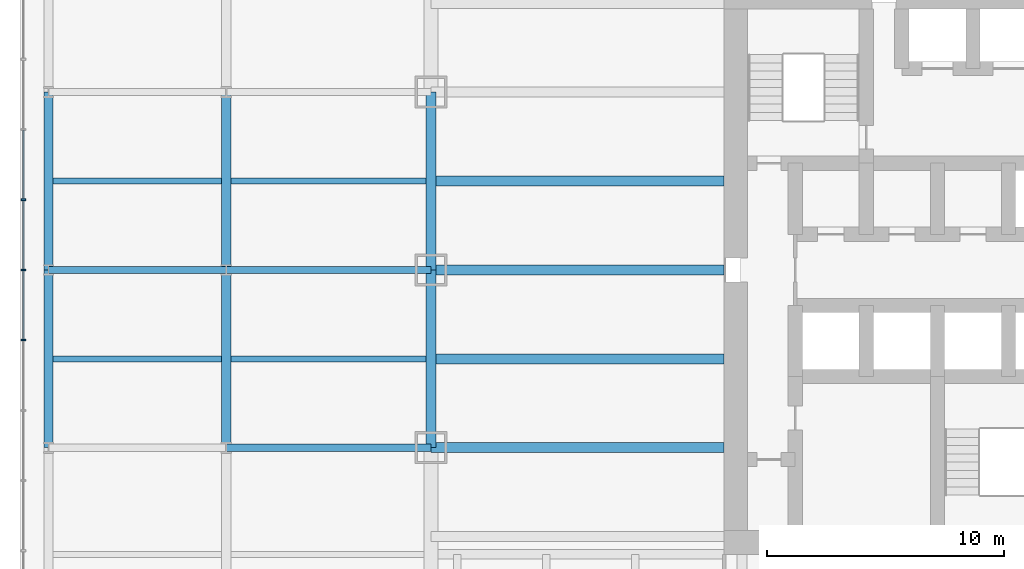
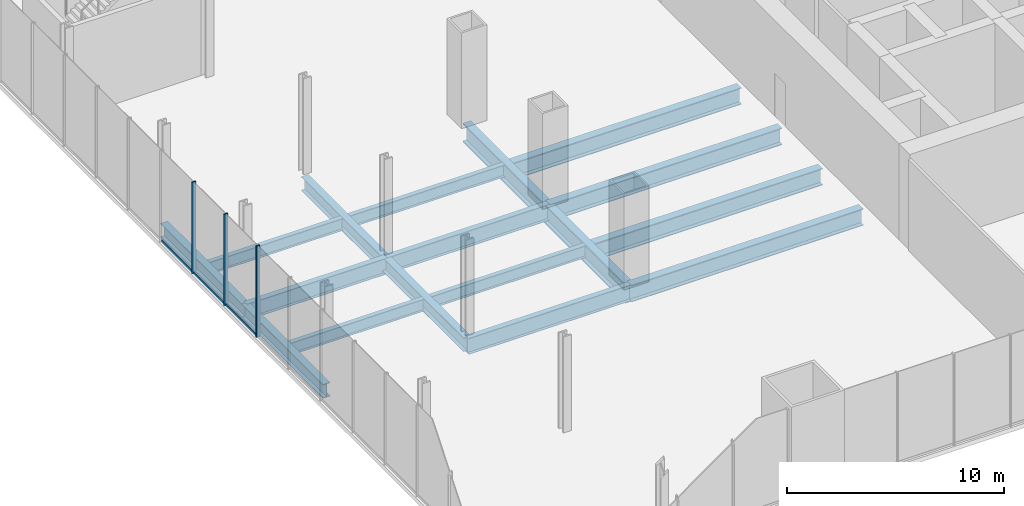
# One storey, part 3 of 16: 17 beams, 6 members, 1 element without a shape of its own.
"""IFC4 building model written with IfcOpenShell, lengths in metres."""

from ifc_helpers import new_model, si_unit, direction, frame, origin, origin_2d, place, context, subcontext, project, spatial, rectangle, i_section, extrude, material, material_profile, profile_set, type_object, element, aggregate, save


model = new_model("IFC4")

# Units and contexts
model_context = context("Model", 3, precision=1e-05, world=origin(), true_north=direction((0.0, 1.0)))
body_context = subcontext(model_context, "Body", "Model", "MODEL_VIEW")
ifc_project = project(units=[si_unit("LENGTHUNIT", "METRE"), si_unit("AREAUNIT", "SQUARE_METRE"), si_unit("VOLUMEUNIT", "CUBIC_METRE"), si_unit("PLANEANGLEUNIT", "RADIAN"), si_unit("MASSUNIT", "GRAM", prefix="KILO")], contexts=[model_context])

# Site, building, storey
site_placement = place(None, origin())
site = spatial("IfcSite", under=ifc_project, at=site_placement, CompositionType="ELEMENT")
building_placement = place(site_placement, origin())
building = spatial("IfcBuilding", under=site, at=building_placement, Name="Tarangal Relay Tower", CompositionType="ELEMENT")
storey_placement = place(building_placement, frame((0.0, 0.0, 7.199951171875)))
storey = spatial("IfcBuildingStorey", under=building, at=storey_placement, Name="L01", CompositionType="ELEMENT", Elevation=7.199951171875)

# Beams
ifc_material_1 = material(Name="Steel ASTM A992", Category="steel")
ifc_material_profile_1 = material_profile(ifc_material_1, i_section(OverallWidth=0.41650390625, OverallDepth=1.0693359375, WebThickness=0.0390625, FlangeThickness=0.070068359375, at=origin_2d()), Name="W40X503")
ifc_profile_set_1 = profile_set([ifc_material_profile_1], Name="Steel ASTM A992")
beam_type_1 = type_object("IfcBeamType", Name="Edge girder W40X503", PredefinedType="SPANDREL", material=ifc_profile_set_1)
for number, where, z_axis, x_axis, name in (
    (1, (-24.364990234375, -7.5, -0.78466796875), (0.0, 1.0, 0.0), (-1.0, 0.0, 0.0), "Edge girder EG8 W L01"),
    (2, (-24.364990234375, 0.0, -0.78466796875), (0.0, 1.0, 0.0), (-1.0, 0.0, 0.0), "Edge girder EG8 W L01"),
):
    element("IfcBeam", number, at=place(storey_placement, frame(where, z_axis=z_axis, x_axis=x_axis)), inside=storey, type_object=beam_type_1, Name=name, PredefinedType="SPANDREL", context=body_context, shape_type="SweptSolid", body=[
        extrude(i_section(OverallWidth=0.41650390625, OverallDepth=1.0693359375, WebThickness=0.0390625, FlangeThickness=0.070068359375, at=origin_2d()), origin(), (0.0, 0.0, 1.0), 7.5),
    ])
ifc_material_profile_2 = material_profile(ifc_material_1, i_section(OverallWidth=0.42431640625, OverallDepth=0.947509765625, WebThickness=0.02392578125, FlangeThickness=0.042724609375, at=origin_2d()), Name="W36X302")
ifc_profile_set_2 = profile_set([ifc_material_profile_2], Name="Steel ASTM A992")
beam_type_2 = type_object("IfcBeamType", Name="Floor beam W36X302", PredefinedType="BEAM", material=ifc_profile_set_2)
beam_1_placement = place(storey_placement, frame((-12.0, -7.5, -0.7236328125), z_axis=(-1.0, 0.0, 0.0), x_axis=(0.0, -1.0, 0.0)))
element("IfcBeam", 3, at=beam_1_placement, inside=storey, type_object=beam_type_2, Name="Floor beam RB10 W L01", PredefinedType="BEAM", context=body_context, shape_type="SweptSolid", body=[
    extrude(i_section(OverallWidth=0.42431640625, OverallDepth=0.947509765625, WebThickness=0.02392578125, FlangeThickness=0.042724609375, at=origin_2d()), origin(), (0.0, 0.0, 1.0), 12.364990234375),
])
beam_2_placement = place(storey_placement, frame((-12.0, -3.75, -0.7236328125), z_axis=(-1.0, 0.0, 0.0), x_axis=(0.0, -1.0, 0.0)))
element("IfcBeam", 4, at=beam_2_placement, inside=storey, type_object=beam_type_2, Name="Floor beam RB10 W L01", PredefinedType="BEAM", context=body_context, shape_type="SweptSolid", body=[
    extrude(i_section(OverallWidth=0.42431640625, OverallDepth=0.947509765625, WebThickness=0.02392578125, FlangeThickness=0.042724609375, at=origin_2d()), origin(), (0.0, 0.0, 1.0), 12.156982421875),
])
beam_3_placement = place(storey_placement, frame((-12.0, 0.0, -0.7236328125), z_axis=(-1.0, 0.0, 0.0), x_axis=(0.0, -1.0, 0.0)))
element("IfcBeam", 5, at=beam_3_placement, inside=storey, type_object=beam_type_2, Name="Floor beam RB10 W L01", PredefinedType="BEAM", context=body_context, shape_type="SweptSolid", body=[
    extrude(i_section(OverallWidth=0.42431640625, OverallDepth=0.947509765625, WebThickness=0.02392578125, FlangeThickness=0.042724609375, at=origin_2d()), origin(), (0.0, 0.0, 1.0), 12.364990234375),
])
beam_4_placement = place(storey_placement, frame((-12.0, 3.75, -0.7236328125), z_axis=(-1.0, 0.0, 0.0), x_axis=(0.0, -1.0, 0.0)))
element("IfcBeam", 6, at=beam_4_placement, inside=storey, type_object=beam_type_2, Name="Floor beam RB10 W L01", PredefinedType="BEAM", context=body_context, shape_type="SweptSolid", body=[
    extrude(i_section(OverallWidth=0.42431640625, OverallDepth=0.947509765625, WebThickness=0.02392578125, FlangeThickness=0.042724609375, at=origin_2d()), origin(), (0.0, 0.0, 1.0), 12.156982421875),
])

# Curtain wall, members
ifc_material_2 = material(Name="Unitised curtain wall, dark glass and black aluminium", Category="aluminium")
curtain_wall_type = type_object("IfcCurtainWallType", Name="Curtain wall CW-P", PredefinedType="USERDEFINED", material=ifc_material_2)
curtain_wall_placement = place(storey_placement, origin())
curtain_wall = element("IfcCurtainWall", 7, at=curtain_wall_placement, inside=storey, type_object=curtain_wall_type, Name="Curtain wall CW-P Podium W facade L01", ObjectType="UNITISED CURTAIN WALL", PredefinedType="USERDEFINED")
ifc_material_3 = material(Name="Black anodised aluminium mullion", Category="aluminium")
ifc_material_profile_3 = material_profile(ifc_material_3, rectangle(XDim=0.199951171875, YDim=0.070068359375, at=origin_2d()), Name="CW-PM 70X200")
ifc_profile_set_3 = profile_set([ifc_material_profile_3], Name="Black anodised aluminium mullion")
member_type_1 = type_object("IfcMemberType", Name="Mullion CW-P 70 x 200", PredefinedType="MULLION", material=ifc_profile_set_3)
member_1_placement = place(storey_placement, frame((-41.550048828125, 2.96240234375, 0.0), z_axis=(0.0, 0.0, 1.0), x_axis=(1.0, 0.0, 0.0)))
member_1 = element("IfcMember", 8, at=member_1_placement, type_object=member_type_1, Name="CW-P mullion 8", PredefinedType="MULLION", context=body_context, shape_type="SweptSolid", body=[
    extrude(rectangle(XDim=0.199951171875, YDim=0.070068359375, at=origin_2d()), origin(), (0.0, 0.0, 1.0), 5.150146484375),
])
member_2_placement = place(storey_placement, frame((-41.550048828125, 0.0, 0.0), z_axis=(0.0, 0.0, 1.0), x_axis=(1.0, 0.0, 0.0)))
member_2 = element("IfcMember", 9, at=member_2_placement, type_object=member_type_1, Name="CW-P mullion 9", PredefinedType="MULLION", context=body_context, shape_type="SweptSolid", body=[
    extrude(rectangle(XDim=0.199951171875, YDim=0.070068359375, at=origin_2d()), origin(), (0.0, 0.0, 1.0), 5.150146484375),
])
member_3_placement = place(storey_placement, frame((-41.550048828125, -2.96240234375, 0.0), z_axis=(0.0, 0.0, 1.0), x_axis=(1.0, 0.0, 0.0)))
member_3 = element("IfcMember", 10, at=member_3_placement, type_object=member_type_1, Name="CW-P mullion 10", PredefinedType="MULLION", context=body_context, shape_type="SweptSolid", body=[
    extrude(rectangle(XDim=0.199951171875, YDim=0.070068359375, at=origin_2d()), origin(), (0.0, 0.0, 1.0), 5.150146484375),
])

# Beams
ifc_material_profile_4 = material_profile(ifc_material_1, i_section(OverallWidth=0.3046875, OverallDepth=0.911865234375, WebThickness=0.015869140625, FlangeThickness=0.02392578125, at=origin_2d()), Name="W36X150")
ifc_profile_set_4 = profile_set([ifc_material_profile_4], Name="Steel ASTM A992")
beam_type_3 = type_object("IfcBeamType", Name="Podium beam W36X150", PredefinedType="BEAM", material=ifc_profile_set_4)
for number, where, z_axis, x_axis, name in (
    (11, (-24.364990234375, -7.5, -0.705810546875), (-1.0, 0.0, 0.0), (0.0, -1.0, 0.0), "Podium beam PB1 L01"),
    (12, (-24.364990234375, 0.0, -0.705810546875), (-1.0, 0.0, 0.0), (0.0, -1.0, 0.0), "Podium beam PB1 L01"),
):
    element("IfcBeam", number, at=place(storey_placement, frame(where, z_axis=z_axis, x_axis=x_axis)), inside=storey, type_object=beam_type_3, Name=name, PredefinedType="BEAM", context=body_context, shape_type="SweptSolid", body=[
        extrude(i_section(OverallWidth=0.3046875, OverallDepth=0.911865234375, WebThickness=0.015869140625, FlangeThickness=0.02392578125, at=origin_2d()), origin(), (0.0, 0.0, 1.0), 8.635009765625),
    ])
beam_5_placement = place(storey_placement, frame((-33.0, 0.0, -0.705810546875), z_axis=(-1.0, 0.0, 0.0), x_axis=(0.0, -1.0, 0.0)))
element("IfcBeam", 13, at=beam_5_placement, inside=storey, type_object=beam_type_3, Name="Podium beam PB1 L01", PredefinedType="BEAM", context=body_context, shape_type="SweptSolid", body=[
    extrude(i_section(OverallWidth=0.3046875, OverallDepth=0.911865234375, WebThickness=0.015869140625, FlangeThickness=0.02392578125, at=origin_2d()), origin(), (0.0, 0.0, 1.0), 7.5),
])
ifc_material_profile_5 = material_profile(ifc_material_1, i_section(OverallWidth=0.383544921875, OverallDepth=0.784912109375, WebThickness=0.019775390625, FlangeThickness=0.033447265625, at=origin_2d()), Name="W30X211")
ifc_profile_set_5 = profile_set([ifc_material_profile_5], Name="Steel ASTM A992")
beam_type_4 = type_object("IfcBeamType", Name="Podium girder W30X211", PredefinedType="BEAM", material=ifc_profile_set_5)
for number, where, z_axis, x_axis, name in (
    (14, (-33.0, -7.5, -0.642333984375), (0.0, 1.0, 0.0), (-1.0, 0.0, 0.0), "Podium girder PG1 L01"),
    (15, (-33.0, 0.0, -0.642333984375), (0.0, 1.0, 0.0), (-1.0, 0.0, 0.0), "Podium girder PG1 L01"),
    (16, (-40.5, -7.5, -0.642333984375), (0.0, 1.0, 0.0), (-1.0, 0.0, 0.0), "Podium girder PG1 L01"),
    (17, (-40.5, 0.0, -0.642333984375), (0.0, 1.0, 0.0), (-1.0, 0.0, 0.0), "Podium girder PG1 L01"),
):
    element("IfcBeam", number, at=place(storey_placement, frame(where, z_axis=z_axis, x_axis=x_axis)), inside=storey, type_object=beam_type_4, Name=name, PredefinedType="BEAM", context=body_context, shape_type="SweptSolid", body=[
        extrude(i_section(OverallWidth=0.383544921875, OverallDepth=0.784912109375, WebThickness=0.019775390625, FlangeThickness=0.033447265625, at=origin_2d()), origin(), (0.0, 0.0, 1.0), 7.5),
    ])
ifc_material_profile_6 = material_profile(ifc_material_1, i_section(OverallWidth=0.25390625, OverallDepth=0.683349609375, WebThickness=0.012451171875, FlangeThickness=0.018798828125, at=origin_2d()), Name="W27X94")
ifc_profile_set_6 = profile_set([ifc_material_profile_6], Name="Steel ASTM A992")
beam_type_5 = type_object("IfcBeamType", Name="Podium joist W27X94", PredefinedType="JOIST", material=ifc_profile_set_6)
beam_6_placement = place(storey_placement, frame((-24.572998046875, -3.75, -0.591552734375), z_axis=(-1.0, 0.0, 0.0), x_axis=(0.0, -1.0, 0.0)))
element("IfcBeam", 18, at=beam_6_placement, inside=storey, type_object=beam_type_5, Name="Podium joist PJ1 L01", PredefinedType="JOIST", context=body_context, shape_type="SweptSolid", body=[
    extrude(i_section(OverallWidth=0.25390625, OverallDepth=0.683349609375, WebThickness=0.012451171875, FlangeThickness=0.018798828125, at=origin_2d()), origin(), (0.0, 0.0, 1.0), 8.236083984375),
])
beam_7_placement = place(storey_placement, frame((-33.19091796875, -3.75, -0.591552734375), z_axis=(-1.0, 0.0, 0.0), x_axis=(0.0, -1.0, 0.0)))
element("IfcBeam", 19, at=beam_7_placement, inside=storey, type_object=beam_type_5, Name="Podium joist PJ1 L01", PredefinedType="JOIST", context=body_context, shape_type="SweptSolid", body=[
    extrude(i_section(OverallWidth=0.25390625, OverallDepth=0.683349609375, WebThickness=0.012451171875, FlangeThickness=0.018798828125, at=origin_2d()), origin(), (0.0, 0.0, 1.0), 7.1181640625),
])
beam_8_placement = place(storey_placement, frame((-24.572998046875, 3.75, -0.591552734375), z_axis=(-1.0, 0.0, 0.0), x_axis=(0.0, -1.0, 0.0)))
element("IfcBeam", 20, at=beam_8_placement, inside=storey, type_object=beam_type_5, Name="Podium joist PJ1 L01", PredefinedType="JOIST", context=body_context, shape_type="SweptSolid", body=[
    extrude(i_section(OverallWidth=0.25390625, OverallDepth=0.683349609375, WebThickness=0.012451171875, FlangeThickness=0.018798828125, at=origin_2d()), origin(), (0.0, 0.0, 1.0), 8.236083984375),
])
beam_9_placement = place(storey_placement, frame((-33.19091796875, 3.75, -0.591552734375), z_axis=(-1.0, 0.0, 0.0), x_axis=(0.0, -1.0, 0.0)))
element("IfcBeam", 21, at=beam_9_placement, inside=storey, type_object=beam_type_5, Name="Podium joist PJ1 L01", PredefinedType="JOIST", context=body_context, shape_type="SweptSolid", body=[
    extrude(i_section(OverallWidth=0.25390625, OverallDepth=0.683349609375, WebThickness=0.012451171875, FlangeThickness=0.018798828125, at=origin_2d()), origin(), (0.0, 0.0, 1.0), 7.1181640625),
])

# Member
ifc_material_4 = material(Name="Black anodised aluminium transom", Category="aluminium")
ifc_material_profile_7 = material_profile(ifc_material_4, rectangle(XDim=0.070068359375, YDim=0.159912109375, at=origin_2d()), Name="CW-PT 70X160")
ifc_profile_set_7 = profile_set([ifc_material_profile_7], Name="Black anodised aluminium transom")
member_type_2 = type_object("IfcMemberType", Name="Transom CW-P 70 x 160", PredefinedType="USERDEFINED", material=ifc_profile_set_7)
member_4_placement = place(storey_placement, frame((-41.550048828125, 5.889892578125, 0.03515625), z_axis=(0.0, -1.0, 0.0), x_axis=(1.0, 0.0, 0.0)))
member_4 = element("IfcMember", 22, at=member_4_placement, type_object=member_type_2, Name="CW-P transom 7.1", ObjectType="TRANSOM", PredefinedType="USERDEFINED", context=body_context, shape_type="SweptSolid", body=[
    extrude(rectangle(XDim=0.070068359375, YDim=0.159912109375, at=origin_2d()), origin(), (0.0, 0.0, 1.0), 2.892333984375),
])

member_5_placement = place(storey_placement, frame((-41.550048828125, 2.927490234375, 0.03515625), z_axis=(0.0, -1.0, 0.0), x_axis=(1.0, 0.0, 0.0)))
member_5 = element("IfcMember", 23, at=member_5_placement, type_object=member_type_2, Name="CW-P transom 8.1", ObjectType="TRANSOM", PredefinedType="USERDEFINED", context=body_context, shape_type="SweptSolid", body=[
    extrude(rectangle(XDim=0.070068359375, YDim=0.159912109375, at=origin_2d()), origin(), (0.0, 0.0, 1.0), 2.892578125),
])

member_6_placement = place(storey_placement, frame((-41.550048828125, -0.034912109375, 0.03515625), z_axis=(0.0, -1.0, 0.0), x_axis=(1.0, 0.0, 0.0)))
member_6 = element("IfcMember", 24, at=member_6_placement, type_object=member_type_2, Name="CW-P transom 9.1", ObjectType="TRANSOM", PredefinedType="USERDEFINED", context=body_context, shape_type="SweptSolid", body=[
    extrude(rectangle(XDim=0.070068359375, YDim=0.159912109375, at=origin_2d()), origin(), (0.0, 0.0, 1.0), 2.892578125),
])

aggregate(curtain_wall, [member_1, member_2, member_3, member_4, member_5, member_6])

save(model, "model.ifc")
